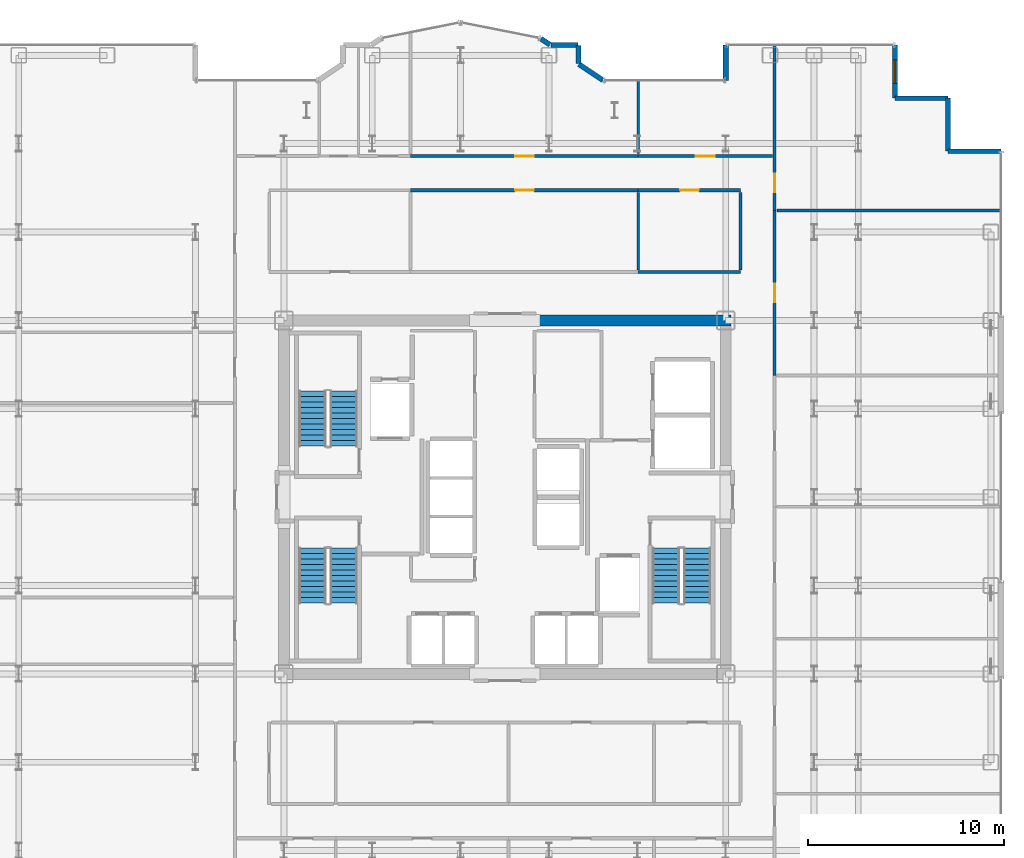
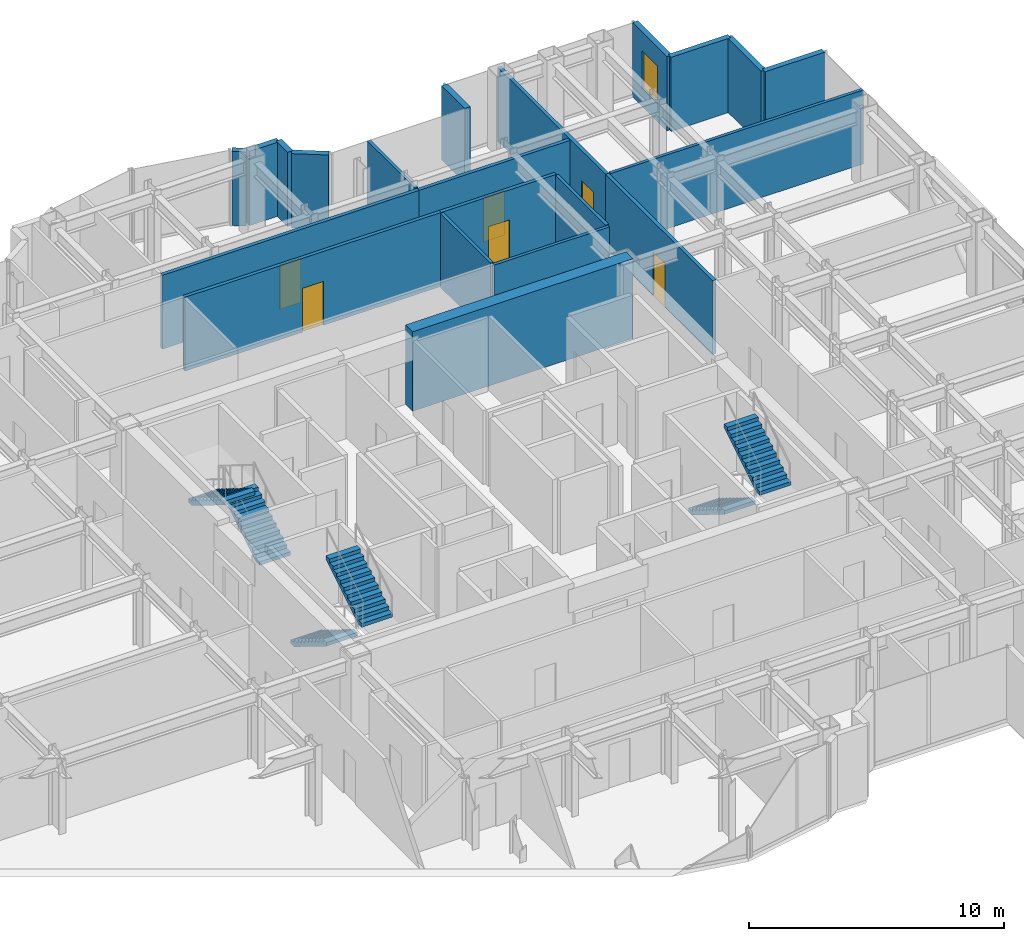
# One storey, part 25 of 26: 21 walls, 6 doors, 6 stair flights, 1 window, 7 openings, 3 elements without a shape of their own.
"""IFC4 building model written with IfcOpenShell, lengths in metres."""

from ifc_helpers import new_model, si_unit, direction, frame, frame_2d, origin, place, context, subcontext, project, spatial, polyline, rectangle, outline, extrude, source, transform, mapped, material, layer, layer_set, type_object, element, fill, aggregate, save


model = new_model("IFC4")

# Units and contexts
model_context = context("Model", 3, precision=1e-05, world=origin(), true_north=direction((0.0, 1.0)))
body_context = subcontext(model_context, "Body", "Model", "MODEL_VIEW")
ifc_project = project(units=[si_unit("LENGTHUNIT", "METRE"), si_unit("AREAUNIT", "SQUARE_METRE"), si_unit("VOLUMEUNIT", "CUBIC_METRE"), si_unit("PLANEANGLEUNIT", "RADIAN"), si_unit("MASSUNIT", "GRAM", prefix="KILO")], contexts=[model_context])

# Site, building, storey
site_placement = place(None, origin())
site = spatial("IfcSite", under=ifc_project, at=site_placement, CompositionType="ELEMENT")
building_placement = place(site_placement, origin())
building = spatial("IfcBuilding", under=site, at=building_placement, Name="Nefas-Gora Pilgrimage Tower", CompositionType="ELEMENT")
storey_placement = place(building_placement, frame((0.0, 0.0, 160.199951171875)))
storey = spatial("IfcBuildingStorey", under=building, at=storey_placement, Name="L39", CompositionType="ELEMENT", Elevation=160.199951171875)

# Walls
ifc_material_1 = material(Name="Concrete C60/75", Category="concrete")
ifc_layer_1 = layer(ifc_material_1, 0.550048828125)
ifc_layer_set_1 = layer_set([ifc_layer_1], Name="Concrete C60/75")
wall_type_1 = type_object("IfcWallType", Name="SW-CORE-550", PredefinedType="SHEAR", material=ifc_layer_set_1)
shared_shape_1 = source(origin(), body_context, "Body", "SweptSolid", [
    extrude(rectangle(XDim=9.974853515625, YDim=0.550048828125, at=frame_2d((4.9873046875, 0.0))), origin(), (0.0, 0.0, 1.0), 3.800048828125),
])
wall_1_placement = place(storey_placement, frame((1.550048828125, 9.0, 0.0), z_axis=(0.0, 0.0, 1.0), x_axis=(1.0, 0.0, 0.0)))
element("IfcWall", 1, at=wall_1_placement, inside=storey, type_object=wall_type_1, Name="L39 Core Shear Wall N-East", PredefinedType="SHEAR", context=body_context, shape_type="MappedRepresentation", body=[
    mapped(shared_shape_1, transform((0.0, 0.0, 0.0), x_axis=(1.0, 0.0, 0.0), y_axis=(0.0, 1.0, 0.0), z_axis=(0.0, 0.0, 1.0), scale=1.0)),
])
ifc_material_2 = material(Name="Precast concrete C40/50", Category="concrete")
ifc_layer_2 = layer(ifc_material_2, 0.260009765625)
ifc_layer_set_2 = layer_set([ifc_layer_2], Name="Precast concrete C40/50")
wall_type_2 = type_object("IfcWallType", Name="EW-PORTAL-260", PredefinedType="SOLIDWALL", material=ifc_layer_set_2)
shared_shape_2 = source(origin(), body_context, "Body", "SweptSolid", [
    extrude(rectangle(XDim=1.800048828125, YDim=0.260009765625, at=frame_2d((0.89990234375, 0.0))), origin(), (0.0, 0.0, 1.0), 3.550048828125),
])
wall_2_placement = place(storey_placement, frame((11.25, 23.02001953125, 0.0), z_axis=(0.0, 0.0, 1.0), x_axis=(0.0, -1.0, 0.0)))
element("IfcWall", 2, at=wall_2_placement, inside=storey, type_object=wall_type_2, Name="L39 Lobe Shoulder Precast Spandrel Pier 14", PredefinedType="SOLIDWALL", context=body_context, shape_type="MappedRepresentation", body=[
    mapped(shared_shape_2, transform((0.0, 0.0, 0.0), x_axis=(1.0, 0.0, 0.0), y_axis=(0.0, 1.0, 0.0), z_axis=(0.0, 0.0, 1.0), scale=1.0)),
])
ifc_material_3 = material(Name="Precast concrete C45/55", Category="concrete")
ifc_layer_3 = layer(ifc_material_3, 0.239990234375)
ifc_layer_set_3 = layer_set([ifc_layer_3], Name="Precast concrete C45/55")
wall_type_3 = type_object("IfcWallType", Name="EW-SERR-240", PredefinedType="SHEAR", material=ifc_layer_set_3)
shared_shape_3 = source(origin(), body_context, "Body", "SweptSolid", [
    extrude(rectangle(XDim=2.699951171875, YDim=0.239990234375, at=frame_2d((1.35009765625, 0.0))), origin(), (0.0, 0.0, 1.0), 3.550048828125),
])
for number, where, z_axis, x_axis, name in (
    (3, (25.27001953125, 17.6201171875, 0.0), (0.0, 0.0, 1.0), (-1.0, 0.0, 0.0), "L39 Serrated Corner Shear Pier Wall 10"),
    (4, (22.570068359375, 17.6201171875, 0.0), (0.0, 0.0, 1.0), (0.0, 1.0, 0.0), "L39 Serrated Corner Shear Pier Wall 11"),
    (5, (22.570068359375, 20.320068359375, 0.0), (0.0, 0.0, 1.0), (-1.0, 0.0, 0.0), "L39 Serrated Corner Shear Pier Wall 12"),
):
    element("IfcWall", number, at=place(storey_placement, frame(where, z_axis=z_axis, x_axis=x_axis)), inside=storey, type_object=wall_type_3, Name=name, PredefinedType="SHEAR", context=body_context, shape_type="MappedRepresentation", body=[
        mapped(shared_shape_3, transform((0.0, 0.0, 0.0), x_axis=(1.0, 0.0, 0.0), y_axis=(0.0, 1.0, 0.0), z_axis=(0.0, 0.0, 1.0), scale=1.0)),
    ])

# Wall, opening, window
wall_3_placement = place(storey_placement, frame((19.8701171875, 20.320068359375, 0.0), z_axis=(0.0, 0.0, 1.0), x_axis=(0.0, 1.0, 0.0)))
wall_3 = element("IfcWall", 6, at=wall_3_placement, inside=storey, type_object=wall_type_3, Name="L39 Serrated Corner Shear Pier Wall 13", PredefinedType="SHEAR", context=body_context, shape_type="MappedRepresentation", body=[
    mapped(shared_shape_3, transform((0.0, 0.0, 0.0), x_axis=(1.0, 0.0, 0.0), y_axis=(0.0, 1.0, 0.0), z_axis=(0.0, 0.0, 1.0), scale=1.0)),
])
opening_1_placement = place(wall_3_placement, frame((0.75, 0.0, 0.85009765625)))
opening_1 = element("IfcOpeningElement", 7, at=opening_1_placement, cuts=wall_3, Name="Opening W-V1", PredefinedType="OPENING", context=body_context, shape_type="SweptSolid", body=[
    extrude(rectangle(XDim=1.199951171875, YDim=1.800048828125, at=frame_2d((0.60009765625, 0.89990234375))), frame((0.0, 0.1298828125, 0.0), z_axis=(0.0, -1.0, 0.0), x_axis=(1.0, 0.0, 0.0)), (0.0, 0.0, 1.0), 0.260009765625),
])
ifc_material_4 = material(Name="Dark ceramic-fritted operable aluminium-glass window", Category="aluminium")
window_type = type_object("IfcWindowType", Name="WIN-VENT-1200x1800", PartitioningType="SINGLE_PANEL", PredefinedType="WINDOW", material=ifc_material_4)
shared_shape_4 = source(origin(), body_context, "Body", "SweptSolid", [
    extrude(rectangle(XDim=1.199951171875, YDim=1.800048828125, at=frame_2d((0.60009765625, 0.89990234375))), frame((0.0, 0.030029296875, 0.0), z_axis=(0.0, -1.0, 0.0), x_axis=(1.0, 0.0, 0.0)), (0.0, 0.0, 1.0), 0.06005859375),
])
window_placement = place(opening_1_placement, origin())
window = element("IfcWindow", 8, at=window_placement, inside=storey, type_object=window_type, Name="L39 Operable Parallel-Outswing Window 13", OverallHeight=1.800048828125, OverallWidth=1.199951171875, PartitioningType="SINGLE_PANEL", PredefinedType="WINDOW", context=body_context, shape_type="MappedRepresentation", body=[
    mapped(shared_shape_4, transform((0.0, 0.0, 0.0), x_axis=(1.0, 0.0, 0.0), y_axis=(0.0, 1.0, 0.0), z_axis=(0.0, 0.0, 1.0), scale=1.0)),
])
fill(opening_1, window)

# Walls
shared_shape_5 = source(origin(), body_context, "Body", "SweptSolid", [
    extrude(rectangle(XDim=1.468994140625, YDim=0.260009765625, at=frame_2d((0.734375, 0.0))), origin(), (0.0, 0.0, 1.0), 3.550048828125),
])
wall_4_placement = place(storey_placement, frame((4.99462890625, 21.235595703125, 0.0), z_axis=(0.0, 0.0, 1.0), x_axis=(-0.831461760506, 0.555581983884, 0.0)))
element("IfcWall", 9, at=wall_4_placement, inside=storey, type_object=wall_type_2, Name="L39 Lobe Shoulder Precast Spandrel Pier 15", PredefinedType="SOLIDWALL", context=body_context, shape_type="MappedRepresentation", body=[
    mapped(shared_shape_5, transform((0.0, 0.0, 0.0), x_axis=(1.0, 0.0, 0.0), y_axis=(0.0, 1.0, 0.0), z_axis=(0.0, 0.0, 1.0), scale=1.0)),
])
shared_shape_6 = source(origin(), body_context, "Body", "SweptSolid", [
    extrude(rectangle(XDim=0.896728515625, YDim=0.260009765625, at=frame_2d((0.4482421875, 0.0))), origin(), (0.0, 0.0, 1.0), 3.550048828125),
])
wall_5_placement = place(storey_placement, frame((3.75, 22.09521484375, 0.0), z_axis=(0.0, 0.0, 1.0), x_axis=(0.0, 1.0, 0.0)))
element("IfcWall", 10, at=wall_5_placement, inside=storey, type_object=wall_type_2, Name="L39 Lobe Shoulder Precast Spandrel Pier 16", PredefinedType="SOLIDWALL", context=body_context, shape_type="MappedRepresentation", body=[
    mapped(shared_shape_6, transform((0.0, 0.0, 0.0), x_axis=(1.0, 0.0, 0.0), y_axis=(0.0, 1.0, 0.0), z_axis=(0.0, 0.0, 1.0), scale=1.0)),
])
shared_shape_7 = source(origin(), body_context, "Body", "SweptSolid", [
    extrude(rectangle(XDim=1.369873046875, YDim=0.260009765625, at=frame_2d((0.68505859375, 0.0))), origin(), (0.0, 0.0, 1.0), 3.550048828125),
])
wall_6_placement = place(storey_placement, frame((3.721923828125, 23.02001953125, 0.0), z_axis=(0.0, 0.0, 1.0), x_axis=(-1.0, 0.0, 0.0)))
element("IfcWall", 11, at=wall_6_placement, inside=storey, type_object=wall_type_2, Name="L39 Lobe Shoulder Precast Spandrel Pier 17", PredefinedType="SOLIDWALL", context=body_context, shape_type="MappedRepresentation", body=[
    mapped(shared_shape_7, transform((0.0, 0.0, 0.0), x_axis=(1.0, 0.0, 0.0), y_axis=(0.0, 1.0, 0.0), z_axis=(0.0, 0.0, 1.0), scale=1.0)),
])
shared_shape_8 = source(origin(), body_context, "Body", "SweptSolid", [
    extrude(rectangle(XDim=0.5654296875, YDim=0.260009765625, at=frame_2d((0.28271484375, 0.0))), origin(), (0.0, 0.0, 1.0), 3.550048828125),
])
wall_7_placement = place(storey_placement, frame((2.30078125, 23.03564453125, 0.0), z_axis=(0.0, 0.0, 1.0), x_axis=(-0.831651492666, 0.555297933317, 0.0)))
element("IfcWall", 12, at=wall_7_placement, inside=storey, type_object=wall_type_2, Name="L39 Lobe Shoulder Precast Spandrel Pier 18", PredefinedType="SOLIDWALL", context=body_context, shape_type="MappedRepresentation", body=[
    mapped(shared_shape_8, transform((0.0, 0.0, 0.0), x_axis=(1.0, 0.0, 0.0), y_axis=(0.0, 1.0, 0.0), z_axis=(0.0, 0.0, 1.0), scale=1.0)),
])

# Wall, opening, door
ifc_material_5 = material(Name="Gypsum acoustic stud partition")
ifc_layer_4 = layer(ifc_material_5, 0.159912109375)
ifc_layer_set_4 = layer_set([ifc_layer_4], Name="Gypsum acoustic stud partition")
wall_type_4 = type_object("IfcWallType", Name="IW-CORR-160", PredefinedType="PARTITIONING", material=ifc_layer_set_4)
shared_shape_9 = source(origin(), body_context, "Body", "SweptSolid", [
    extrude(rectangle(XDim=6.8251953125, YDim=0.159912109375, at=frame_2d((3.41259765625, 0.0))), origin(), (0.0, 0.0, 1.0), 3.53515625),
])
wall_8_placement = place(storey_placement, frame((6.794921875, 17.3701171875, 0.0), z_axis=(0.0, 0.0, 1.0), x_axis=(1.0, 0.0, 0.0)))
wall_8 = element("IfcWall", 13, at=wall_8_placement, inside=storey, type_object=wall_type_4, Name="L39 Pilgrim Contemplative Lounge Partition Wall 60", PredefinedType="PARTITIONING", context=body_context, shape_type="MappedRepresentation", body=[
    mapped(shared_shape_9, transform((0.0, 0.0, 0.0), x_axis=(1.0, 0.0, 0.0), y_axis=(0.0, 1.0, 0.0), z_axis=(0.0, 0.0, 1.0), scale=1.0)),
])
opening_2_placement = place(wall_8_placement, frame((2.9375, 0.0, 0.0)))
opening_2 = element("IfcOpeningElement", 14, at=opening_2_placement, cuts=wall_8, Name="Opening ID-GR1", PredefinedType="OPENING", context=body_context, shape_type="SweptSolid", body=[
    extrude(rectangle(XDim=0.949951171875, YDim=2.10009765625, at=frame_2d((0.47509765625, 1.050048828125))), frame((0.0, 0.08984375, 0.0), z_axis=(0.0, -1.0, 0.0), x_axis=(1.0, 0.0, 0.0)), (0.0, 0.0, 1.0), 0.179931640625),
])
ifc_material_6 = material(Name="Solid core oak fire-rated guest entrance door")
door_type = type_object("IfcDoorType", Name="DR-INT-GUEST-950", OperationType="NOTDEFINED", PredefinedType="DOOR", material=ifc_material_6)
shared_shape_10 = source(origin(), body_context, "Body", "SweptSolid", [
    extrude(rectangle(XDim=0.949951171875, YDim=2.10009765625, at=frame_2d((0.47509765625, 1.050048828125))), frame((0.0, 0.02490234375, 0.0), z_axis=(0.0, -1.0, 0.0), x_axis=(1.0, 0.0, 0.0)), (0.0, 0.0, 1.0), 0.050048828125),
])
door_1_placement = place(opening_2_placement, origin())
door_1 = element("IfcDoor", 15, at=door_1_placement, inside=storey, type_object=door_type, Name="L39 Pilgrim Contemplative Lounge Door 27", OperationType="SINGLE_SWING_RIGHT", OverallHeight=2.10009765625, OverallWidth=0.949951171875, PredefinedType="DOOR", context=body_context, shape_type="MappedRepresentation", body=[
    mapped(shared_shape_10, transform((0.0, 0.0, 0.0), x_axis=(1.0, 0.0, 0.0), y_axis=(0.0, 1.0, 0.0), z_axis=(0.0, 0.0, 1.0), scale=1.0)),
])
fill(opening_2, door_1)

# Walls
ifc_material_7 = material(Name="Gypsum twin-stud partition")
ifc_layer_5 = layer(ifc_material_7, 0.139892578125)
ifc_layer_set_5 = layer_set([ifc_layer_5], Name="Gypsum twin-stud partition")
wall_type_5 = type_object("IfcWallType", Name="IW-UNIT-140", PredefinedType="PARTITIONING", material=ifc_layer_set_5)
shared_shape_11 = source(origin(), body_context, "Body", "SweptSolid", [
    extrude(rectangle(XDim=11.429931640625, YDim=0.139892578125, at=frame_2d((5.71484375, 0.0))), origin(), (0.0, 0.0, 1.0), 3.53515625),
])
wall_9_placement = place(storey_placement, frame((13.860107421875, 14.597412109375, 0.0), z_axis=(0.0, 0.0, 1.0), x_axis=(1.0, 0.0, 0.0)))
element("IfcWall", 16, at=wall_9_placement, inside=storey, type_object=wall_type_5, Name="L39 Pilgrim Contemplative Lounge Partition Wall 46", PredefinedType="PARTITIONING", context=body_context, shape_type="MappedRepresentation", body=[
    mapped(shared_shape_11, transform((0.0, 0.0, 0.0), x_axis=(1.0, 0.0, 0.0), y_axis=(0.0, 1.0, 0.0), z_axis=(0.0, 0.0, 1.0), scale=1.0)),
])
shared_shape_12 = source(origin(), body_context, "Body", "SweptSolid", [
    extrude(rectangle(XDim=3.929931640625, YDim=0.139892578125, at=frame_2d((1.96484375, 0.0))), origin(), (0.0, 0.0, 1.0), 3.53515625),
])
for number, where, z_axis, x_axis, name in (
    (17, (6.794921875, 11.580078125, 0.0), (0.0, 0.0, 1.0), (0.0, 1.0, 0.0), "L39 Pilgrim Contemplative Lounge Partition Wall 59"),
    (18, (12.0, 11.580078125, 0.0), (0.0, 0.0, 1.0), (0.0, 1.0, 0.0), "L39 Scripture Reading Study Partition Wall 63"),
):
    element("IfcWall", number, at=place(storey_placement, frame(where, z_axis=z_axis, x_axis=x_axis)), inside=storey, type_object=wall_type_5, Name=name, PredefinedType="PARTITIONING", context=body_context, shape_type="MappedRepresentation", body=[
        mapped(shared_shape_12, transform((0.0, 0.0, 0.0), x_axis=(1.0, 0.0, 0.0), y_axis=(0.0, 1.0, 0.0), z_axis=(0.0, 0.0, 1.0), scale=1.0)),
    ])
shared_shape_13 = source(origin(), body_context, "Body", "SweptSolid", [
    extrude(rectangle(XDim=3.75, YDim=0.139892578125, at=frame_2d((1.875, 0.0))), origin(), (0.0, 0.0, 1.0), 3.53515625),
])
wall_10_placement = place(storey_placement, frame((6.794921875, 17.489990234375, 0.0), z_axis=(0.0, 0.0, 1.0), x_axis=(0.0, 1.0, 0.0)))
element("IfcWall", 19, at=wall_10_placement, inside=storey, type_object=wall_type_5, Name="L39 Pilgrim Contemplative Lounge Partition Wall 56", PredefinedType="PARTITIONING", context=body_context, shape_type="MappedRepresentation", body=[
    mapped(shared_shape_13, transform((0.0, 0.0, 0.0), x_axis=(1.0, 0.0, 0.0), y_axis=(0.0, 1.0, 0.0), z_axis=(0.0, 0.0, 1.0), scale=1.0)),
])

# Wall, opening, door
shared_shape_14 = source(origin(), body_context, "Body", "SweptSolid", [
    extrude(rectangle(XDim=8.45263671875, YDim=0.159912109375, at=frame_2d((4.226318359375, 0.0))), origin(), (0.0, 0.0, 1.0), 3.53515625),
])
wall_11_placement = place(storey_placement, frame((13.739990234375, 14.58740234375, 0.0), z_axis=(0.0, 0.0, 1.0), x_axis=(0.0, 1.0, 0.0)))
wall_11 = element("IfcWall", 20, at=wall_11_placement, inside=storey, type_object=wall_type_4, Name="L39 Pilgrim Contemplative Lounge Partition Wall 45", PredefinedType="PARTITIONING", context=body_context, shape_type="MappedRepresentation", body=[
    mapped(shared_shape_14, transform((0.0, 0.0, 0.0), x_axis=(1.0, 0.0, 0.0), y_axis=(0.0, 1.0, 0.0), z_axis=(0.0, 0.0, 1.0), scale=1.0)),
])
opening_3_placement = place(wall_11_placement, frame((0.936279296875, 0.0, 0.0)))
opening_3 = element("IfcOpeningElement", 21, at=opening_3_placement, cuts=wall_11, Name="Opening ID-GR1", PredefinedType="OPENING", context=body_context, shape_type="SweptSolid", body=[
    extrude(rectangle(XDim=0.949951171875, YDim=2.10009765625, at=frame_2d((0.47509765625, 1.050048828125))), frame((0.0, 0.08984375, 0.0), z_axis=(0.0, -1.0, 0.0), x_axis=(1.0, 0.0, 0.0)), (0.0, 0.0, 1.0), 0.179931640625),
])
door_2_placement = place(opening_3_placement, origin())
door_2 = element("IfcDoor", 22, at=door_2_placement, inside=storey, type_object=door_type, Name="L39 Pilgrim Contemplative Lounge Door 20", OperationType="SINGLE_SWING_LEFT", OverallHeight=2.10009765625, OverallWidth=0.949951171875, PredefinedType="DOOR", context=body_context, shape_type="MappedRepresentation", body=[
    mapped(shared_shape_10, transform((0.0, 0.0, 0.0), x_axis=(1.0, 0.0, 0.0), y_axis=(0.0, 1.0, 0.0), z_axis=(0.0, 0.0, 1.0), scale=1.0)),
])
fill(opening_3, door_2)

shared_shape_15 = source(origin(), body_context, "Body", "SweptSolid", [
    extrude(rectangle(XDim=8.392333984375, YDim=0.159912109375, at=frame_2d((4.1962890625, 0.0))), origin(), (0.0, 0.0, 1.0), 3.53515625),
])
wall_12_placement = place(storey_placement, frame((13.739990234375, 6.195068359375, 0.0), z_axis=(0.0, 0.0, 1.0), x_axis=(0.0, 1.0, 0.0)))
wall_12 = element("IfcWall", 23, at=wall_12_placement, inside=storey, type_object=wall_type_4, Name="L39 Pilgrim Contemplative Lounge Partition Wall 47", PredefinedType="PARTITIONING", context=body_context, shape_type="MappedRepresentation", body=[
    mapped(shared_shape_15, transform((0.0, 0.0, 0.0), x_axis=(1.0, 0.0, 0.0), y_axis=(0.0, 1.0, 0.0), z_axis=(0.0, 0.0, 1.0), scale=1.0)),
])
opening_4_placement = place(wall_12_placement, frame((3.72119140625, 0.0, 0.0)))
opening_4 = element("IfcOpeningElement", 24, at=opening_4_placement, cuts=wall_12, Name="Opening ID-GR1", PredefinedType="OPENING", context=body_context, shape_type="SweptSolid", body=[
    extrude(rectangle(XDim=0.949951171875, YDim=2.10009765625, at=frame_2d((0.47509765625, 1.050048828125))), frame((0.0, 0.08984375, 0.0), z_axis=(0.0, -1.0, 0.0), x_axis=(1.0, 0.0, 0.0)), (0.0, 0.0, 1.0), 0.179931640625),
])
door_3_placement = place(opening_4_placement, origin())
door_3 = element("IfcDoor", 25, at=door_3_placement, inside=storey, type_object=door_type, Name="L39 Pilgrim Contemplative Lounge Door 21", OperationType="SINGLE_SWING_RIGHT", OverallHeight=2.10009765625, OverallWidth=0.949951171875, PredefinedType="DOOR", context=body_context, shape_type="MappedRepresentation", body=[
    mapped(shared_shape_10, transform((0.0, 0.0, 0.0), x_axis=(1.0, 0.0, 0.0), y_axis=(0.0, 1.0, 0.0), z_axis=(0.0, 0.0, 1.0), scale=1.0)),
])
fill(opening_4, door_3)

shared_shape_16 = source(origin(), body_context, "Body", "SweptSolid", [
    extrude(rectangle(XDim=11.60986328125, YDim=0.159912109375, at=frame_2d((5.804931640625, 0.0))), origin(), (0.0, 0.0, 1.0), 3.53515625),
])
wall_13_placement = place(storey_placement, frame((-4.804931640625, 17.3701171875, 0.0), z_axis=(0.0, 0.0, 1.0), x_axis=(1.0, 0.0, 0.0)))
wall_13 = element("IfcWall", 26, at=wall_13_placement, inside=storey, type_object=wall_type_4, Name="L39 Pilgrim Contemplative Lounge Partition Wall 55", PredefinedType="PARTITIONING", context=body_context, shape_type="MappedRepresentation", body=[
    mapped(shared_shape_16, transform((0.0, 0.0, 0.0), x_axis=(1.0, 0.0, 0.0), y_axis=(0.0, 1.0, 0.0), z_axis=(0.0, 0.0, 1.0), scale=1.0)),
])
opening_5_placement = place(wall_13_placement, frame((5.330078125, 0.0, 0.0)))
opening_5 = element("IfcOpeningElement", 27, at=opening_5_placement, cuts=wall_13, Name="Opening ID-GR1", PredefinedType="OPENING", context=body_context, shape_type="SweptSolid", body=[
    extrude(rectangle(XDim=0.949951171875, YDim=2.10009765625, at=frame_2d((0.47509765625, 1.050048828125))), frame((0.0, 0.08984375, 0.0), z_axis=(0.0, -1.0, 0.0), x_axis=(1.0, 0.0, 0.0)), (0.0, 0.0, 1.0), 0.179931640625),
])
door_4_placement = place(opening_5_placement, origin())
door_4 = element("IfcDoor", 28, at=door_4_placement, inside=storey, type_object=door_type, Name="L39 Pilgrim Contemplative Lounge Door 25", OperationType="SINGLE_SWING_RIGHT", OverallHeight=2.10009765625, OverallWidth=0.949951171875, PredefinedType="DOOR", context=body_context, shape_type="MappedRepresentation", body=[
    mapped(shared_shape_10, transform((0.0, 0.0, 0.0), x_axis=(1.0, 0.0, 0.0), y_axis=(0.0, 1.0, 0.0), z_axis=(0.0, 0.0, 1.0), scale=1.0)),
])
fill(opening_5, door_4)

wall_14_placement = place(storey_placement, frame((-4.804931640625, 15.6298828125, 0.0), z_axis=(0.0, 0.0, 1.0), x_axis=(1.0, 0.0, 0.0)))
wall_14 = element("IfcWall", 29, at=wall_14_placement, inside=storey, type_object=wall_type_4, Name="L39 Pilgrim Contemplative Lounge Partition Wall 57", PredefinedType="PARTITIONING", context=body_context, shape_type="MappedRepresentation", body=[
    mapped(shared_shape_16, transform((0.0, 0.0, 0.0), x_axis=(1.0, 0.0, 0.0), y_axis=(0.0, 1.0, 0.0), z_axis=(0.0, 0.0, 1.0), scale=1.0)),
])
opening_6_placement = place(wall_14_placement, frame((5.330078125, 0.0, 0.0)))
opening_6 = element("IfcOpeningElement", 30, at=opening_6_placement, cuts=wall_14, Name="Opening ID-GR1", PredefinedType="OPENING", context=body_context, shape_type="SweptSolid", body=[
    extrude(rectangle(XDim=0.949951171875, YDim=2.10009765625, at=frame_2d((0.47509765625, 1.050048828125))), frame((0.0, 0.08984375, 0.0), z_axis=(0.0, -1.0, 0.0), x_axis=(1.0, 0.0, 0.0)), (0.0, 0.0, 1.0), 0.179931640625),
])
door_5_placement = place(opening_6_placement, origin())
door_5 = element("IfcDoor", 31, at=door_5_placement, inside=storey, type_object=door_type, Name="L39 Pilgrim Contemplative Lounge Door 26", OperationType="SINGLE_SWING_LEFT", OverallHeight=2.10009765625, OverallWidth=0.949951171875, PredefinedType="DOOR", context=body_context, shape_type="MappedRepresentation", body=[
    mapped(shared_shape_10, transform((0.0, 0.0, 0.0), x_axis=(1.0, 0.0, 0.0), y_axis=(0.0, 1.0, 0.0), z_axis=(0.0, 0.0, 1.0), scale=1.0)),
])
fill(opening_6, door_5)

shared_shape_17 = source(origin(), body_context, "Body", "SweptSolid", [
    extrude(rectangle(XDim=5.215087890625, YDim=0.159912109375, at=frame_2d((2.607421875, 0.0))), origin(), (0.0, 0.0, 1.0), 3.53515625),
])
wall_15_placement = place(storey_placement, frame((6.794921875, 15.6298828125, 0.0), z_axis=(0.0, 0.0, 1.0), x_axis=(1.0, 0.0, 0.0)))
wall_15 = element("IfcWall", 32, at=wall_15_placement, inside=storey, type_object=wall_type_4, Name="L39 Scripture Reading Study Partition Wall 61", PredefinedType="PARTITIONING", context=body_context, shape_type="MappedRepresentation", body=[
    mapped(shared_shape_17, transform((0.0, 0.0, 0.0), x_axis=(1.0, 0.0, 0.0), y_axis=(0.0, 1.0, 0.0), z_axis=(0.0, 0.0, 1.0), scale=1.0)),
])
opening_7_placement = place(wall_15_placement, frame((2.132568359375, 0.0, 0.0)))
opening_7 = element("IfcOpeningElement", 33, at=opening_7_placement, cuts=wall_15, Name="Opening ID-GR1", PredefinedType="OPENING", context=body_context, shape_type="SweptSolid", body=[
    extrude(rectangle(XDim=0.949951171875, YDim=2.10009765625, at=frame_2d((0.47509765625, 1.050048828125))), frame((0.0, 0.08984375, 0.0), z_axis=(0.0, -1.0, 0.0), x_axis=(1.0, 0.0, 0.0)), (0.0, 0.0, 1.0), 0.179931640625),
])
door_6_placement = place(opening_7_placement, origin())
door_6 = element("IfcDoor", 34, at=door_6_placement, inside=storey, type_object=door_type, Name="L39 Scripture Reading Study Door 28", OperationType="SINGLE_SWING_LEFT", OverallHeight=2.10009765625, OverallWidth=0.949951171875, PredefinedType="DOOR", context=body_context, shape_type="MappedRepresentation", body=[
    mapped(shared_shape_10, transform((0.0, 0.0, 0.0), x_axis=(1.0, 0.0, 0.0), y_axis=(0.0, 1.0, 0.0), z_axis=(0.0, 0.0, 1.0), scale=1.0)),
])
fill(opening_7, door_6)

# Wall
shared_shape_18 = source(origin(), body_context, "Body", "SweptSolid", [
    extrude(rectangle(XDim=5.215087890625, YDim=0.139892578125, at=frame_2d((2.607421875, 0.0))), origin(), (0.0, 0.0, 1.0), 3.53515625),
])
wall_16_placement = place(storey_placement, frame((6.794921875, 11.469970703125, 0.0), z_axis=(0.0, 0.0, 1.0), x_axis=(1.0, 0.0, 0.0)))
element("IfcWall", 35, at=wall_16_placement, inside=storey, type_object=wall_type_5, Name="L39 Scripture Reading Study Partition Wall 62", PredefinedType="PARTITIONING", context=body_context, shape_type="MappedRepresentation", body=[
    mapped(shared_shape_18, transform((0.0, 0.0, 0.0), x_axis=(1.0, 0.0, 0.0), y_axis=(0.0, 1.0, 0.0), z_axis=(0.0, 0.0, 1.0), scale=1.0)),
])

# Stair, stair flights
ifc_material_8 = material(Name="Concrete C45/55", Category="concrete")
stair_type = type_object("IfcStairType", Name="STR-1400-R1727", PredefinedType="HALF_TURN_STAIR", material=ifc_material_8)
stair_1_placement = place(storey_placement, origin())
stair_1 = element("IfcStair", 36, at=stair_1_placement, inside=storey, type_object=stair_type, Name="L39 Pressurised Tower Exit Stair ST-01", PredefinedType="HALF_TURN_STAIR")
stair_flight_type = type_object("IfcStairFlightType", Name="STF-1400-R1727", PredefinedType="STRAIGHT", material=ifc_material_8)
shared_shape_19 = source(origin(), body_context, "Body", "SweptSolid", [
    extrude(outline(polyline([(0.0, 0.0), (0.0, 0.172607421875), (0.280029296875, 0.172607421875), (0.280029296875, 0.345458984375), (0.56005859375, 0.345458984375), (0.56005859375, 0.51806640625), (0.840087890625, 0.51806640625), (0.840087890625, 0.69091796875), (1.1201171875, 0.69091796875), (1.1201171875, 0.863525390625), (1.39990234375, 0.863525390625), (1.39990234375, 1.036376953125), (1.679931640625, 1.036376953125), (1.679931640625, 1.208984375), (1.9599609375, 1.208984375), (1.9599609375, 1.3818359375), (2.239990234375, 1.3818359375), (2.239990234375, 1.554443359375), (2.52001953125, 1.554443359375), (2.52001953125, 1.727294921875), (2.800048828125, 1.727294921875), (2.800048828125, 1.89990234375), (2.800048828125, 1.551025390625), (0.285400390625, 0.0), (0.0, 0.0)])), frame((0.0, 0.699951171875, 0.0), z_axis=(0.0, -1.0, 0.0), x_axis=(1.0, 0.0, 0.0)), (0.0, 0.0, 1.0), 1.39990234375),
])
stair_flight_1_placement = place(storey_placement, frame((-8.199951171875, 2.60009765625, 0.0), z_axis=(0.0, 0.0, 1.0), x_axis=(0.0, 1.0, 0.0)))
stair_flight_1 = element("IfcStairFlight", 37, at=stair_flight_1_placement, type_object=stair_flight_type, Name="ST-01 flight 1", NumberOfRisers=11, NumberOfTreads=10, PredefinedType="STRAIGHT", RiserHeight=0.172727273, TreadLength=0.28, context=body_context, shape_type="MappedRepresentation", body=[
    mapped(shared_shape_19, transform((0.0, 0.0, 0.0), x_axis=(1.0, 0.0, 0.0), y_axis=(0.0, 1.0, 0.0), z_axis=(0.0, 0.0, 1.0), scale=1.0)),
])
stair_flight_2_placement = place(storey_placement, frame((-9.800048828125, 5.39990234375, 1.900146484375), z_axis=(0.0, 0.0, 1.0), x_axis=(0.0, -1.0, 0.0)))
stair_flight_2 = element("IfcStairFlight", 38, at=stair_flight_2_placement, type_object=stair_flight_type, Name="ST-01 flight 2", NumberOfRisers=11, NumberOfTreads=10, PredefinedType="STRAIGHT", RiserHeight=0.172727273, TreadLength=0.28, context=body_context, shape_type="MappedRepresentation", body=[
    mapped(shared_shape_19, transform((0.0, 0.0, 0.0), x_axis=(1.0, 0.0, 0.0), y_axis=(0.0, 1.0, 0.0), z_axis=(0.0, 0.0, 1.0), scale=1.0)),
])
aggregate(stair_1, [stair_flight_1, stair_flight_2])

stair_2_placement = place(storey_placement, origin())
stair_2 = element("IfcStair", 39, at=stair_2_placement, inside=storey, type_object=stair_type, Name="L39 Pressurised Tower Exit Stair ST-02", PredefinedType="HALF_TURN_STAIR")
stair_flight_3_placement = place(storey_placement, frame((8.199951171875, -2.60009765625, 0.0), z_axis=(0.0, 0.0, 1.0), x_axis=(0.0, -1.0, 0.0)))
stair_flight_3 = element("IfcStairFlight", 40, at=stair_flight_3_placement, type_object=stair_flight_type, Name="ST-02 flight 1", NumberOfRisers=11, NumberOfTreads=10, PredefinedType="STRAIGHT", RiserHeight=0.172727273, TreadLength=0.28, context=body_context, shape_type="MappedRepresentation", body=[
    mapped(shared_shape_19, transform((0.0, 0.0, 0.0), x_axis=(1.0, 0.0, 0.0), y_axis=(0.0, 1.0, 0.0), z_axis=(0.0, 0.0, 1.0), scale=1.0)),
])
stair_flight_4_placement = place(storey_placement, frame((9.800048828125, -5.39990234375, 1.900146484375), z_axis=(0.0, 0.0, 1.0), x_axis=(0.0, 1.0, 0.0)))
stair_flight_4 = element("IfcStairFlight", 41, at=stair_flight_4_placement, type_object=stair_flight_type, Name="ST-02 flight 2", NumberOfRisers=11, NumberOfTreads=10, PredefinedType="STRAIGHT", RiserHeight=0.172727273, TreadLength=0.28, context=body_context, shape_type="MappedRepresentation", body=[
    mapped(shared_shape_19, transform((0.0, 0.0, 0.0), x_axis=(1.0, 0.0, 0.0), y_axis=(0.0, 1.0, 0.0), z_axis=(0.0, 0.0, 1.0), scale=1.0)),
])
aggregate(stair_2, [stair_flight_3, stair_flight_4])

stair_3_placement = place(storey_placement, origin())
stair_3 = element("IfcStair", 42, at=stair_3_placement, inside=storey, type_object=stair_type, Name="L39 Pressurised Tower Exit Stair ST-03", PredefinedType="HALF_TURN_STAIR")
stair_flight_5_placement = place(storey_placement, frame((-9.800048828125, -2.60009765625, 0.0), z_axis=(0.0, 0.0, 1.0), x_axis=(0.0, -1.0, 0.0)))
stair_flight_5 = element("IfcStairFlight", 43, at=stair_flight_5_placement, type_object=stair_flight_type, Name="ST-03 flight 1", NumberOfRisers=11, NumberOfTreads=10, PredefinedType="STRAIGHT", RiserHeight=0.172727273, TreadLength=0.28, context=body_context, shape_type="MappedRepresentation", body=[
    mapped(shared_shape_19, transform((0.0, 0.0, 0.0), x_axis=(1.0, 0.0, 0.0), y_axis=(0.0, 1.0, 0.0), z_axis=(0.0, 0.0, 1.0), scale=1.0)),
])
stair_flight_6_placement = place(storey_placement, frame((-8.199951171875, -5.39990234375, 1.900146484375), z_axis=(0.0, 0.0, 1.0), x_axis=(0.0, 1.0, 0.0)))
stair_flight_6 = element("IfcStairFlight", 44, at=stair_flight_6_placement, type_object=stair_flight_type, Name="ST-03 flight 2", NumberOfRisers=11, NumberOfTreads=10, PredefinedType="STRAIGHT", RiserHeight=0.172727273, TreadLength=0.28, context=body_context, shape_type="MappedRepresentation", body=[
    mapped(shared_shape_19, transform((0.0, 0.0, 0.0), x_axis=(1.0, 0.0, 0.0), y_axis=(0.0, 1.0, 0.0), z_axis=(0.0, 0.0, 1.0), scale=1.0)),
])
aggregate(stair_3, [stair_flight_5, stair_flight_6])

save(model, "model.ifc")
